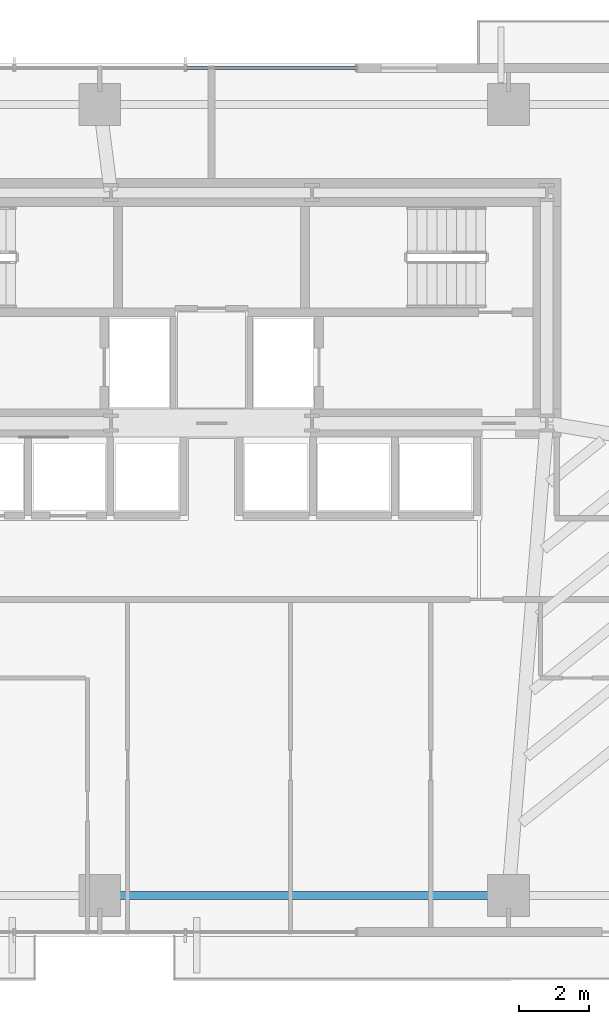
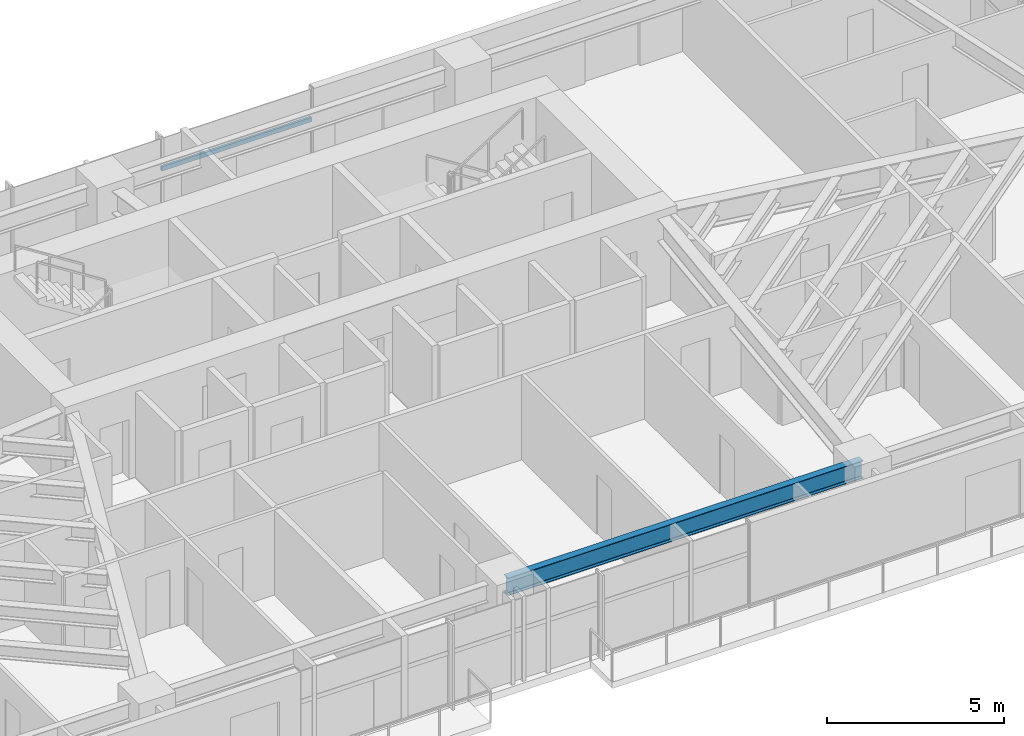
# One storey, part 11 of 25: 1 beam, 1 member, 1 element without a shape of its own.
"""IFC4 building model written with IfcOpenShell, lengths in metres."""

import ifcopenshell
import ifcopenshell.guid

model = None  # the IFC model being written
_history = None  # IfcOwnerHistory: only IFC2X3 demands one
_inside = {}  # id of a spatial element -> (the spatial element, [elements in it])
_under = {}  # id of a project, library or spatial element -> (it, [spatial elements below it])
_declared = {}  # id of a project -> (the project, [libraries it declares])
_typed = {}  # id of a type object -> (the type object, [elements of that type])
_made_of = {}  # id of a material, layer set ... -> (it, [elements and type objects made of it])


def new_model(schema):
    """Start an empty IFC model of exactly this schema.

    Asked for "IFC4X3", IfcOpenShell would pick the latest addendum, in which some entities
    have other attributes; the version numbers below select the first issue.
    IFC2X3 requires an IfcOwnerHistory on every rooted entity: one is made here for all.
    """
    global model, _history
    if schema == "IFC4X3":
        model = ifcopenshell.file(schema_version=(4, 3, 0, 0))
    else:
        model = ifcopenshell.file(schema=schema)
    _inside.clear()
    _under.clear()
    _declared.clear()
    _typed.clear()
    _made_of.clear()
    _history = None
    if model.schema == "IFC2X3":
        org = make("IfcOrganization", Name="unknown")
        user = make(
            "IfcPersonAndOrganization",
            ThePerson=make("IfcPerson", FamilyName="unknown"),
            TheOrganization=org,
        )
        app = make(
            "IfcApplication",
            ApplicationDeveloper=org,
            Version="unknown",
            ApplicationFullName="unknown",
            ApplicationIdentifier="unknown",
        )
        _history = make(
            "IfcOwnerHistory",
            OwningUser=user,
            OwningApplication=app,
            ChangeAction="ADDED",
            CreationDate=0,
        )
    return model


def make(cls, **values):
    """One entity of the class cls with the attributes given. An attribute that is None is left unset."""
    return model.create_entity(
        cls, **{name: value for name, value in values.items() if value is not None}
    )


def rooted(cls, **values):
    """An entity with a GlobalId (a new one), such as an element, a storey or a relation."""
    return make(cls, GlobalId=ifcopenshell.guid.new(), OwnerHistory=_history, **values)


def si_unit(unit_type, name, prefix=None):
    """IfcSIUnit, for example si_unit("LENGTHUNIT", "METRE", prefix="MILLI")."""
    return make("IfcSIUnit", UnitType=unit_type, Prefix=prefix, Name=name)


def assignment(units):
    """IfcUnitAssignment: the units of a project."""
    return None if units is None else make("IfcUnitAssignment", Units=units)


def point(xyz):
    """IfcCartesianPoint."""
    return None if xyz is None else make("IfcCartesianPoint", Coordinates=xyz)


def direction(xyz):
    """IfcDirection."""
    return None if xyz is None else make("IfcDirection", DirectionRatios=xyz)


def frame(location, z_axis=None, x_axis=None):
    """IfcAxis2Placement3D, a coordinate frame: its origin and axes. An axis left out is left unset."""
    return make(
        "IfcAxis2Placement3D",
        Location=point(location),
        Axis=direction(z_axis),
        RefDirection=direction(x_axis),
    )


def frame_2d(location, x_axis=None):
    """IfcAxis2Placement2D, a coordinate frame in the plane: its origin and x axis."""
    return make(
        "IfcAxis2Placement2D", Location=point(location), RefDirection=direction(x_axis)
    )


def origin():
    """The frame at (0, 0, 0) with its axes left unset."""
    return frame((0.0, 0.0, 0.0))


def origin_2d():
    """The frame at (0, 0) in the plane with its x axis left unset."""
    return frame_2d((0.0, 0.0))


def place(relative_to, where):
    """IfcLocalPlacement: puts the frame where relative to a parent placement (None: the world)."""
    return make(
        "IfcLocalPlacement", PlacementRelTo=relative_to, RelativePlacement=where
    )


def context(
    kind, dimensions, precision=None, world=None, true_north=None, identifier=None
):
    """IfcGeometricRepresentationContext, for example the 3D "Model" context."""
    return make(
        "IfcGeometricRepresentationContext",
        ContextIdentifier=identifier,
        ContextType=kind,
        CoordinateSpaceDimension=dimensions,
        Precision=precision,
        WorldCoordinateSystem=world,
        TrueNorth=true_north,
    )


def subcontext(parent, identifier, kind, view, scale=None):
    """IfcGeometricRepresentationSubContext, for example "Body" below "Model"."""
    return make(
        "IfcGeometricRepresentationSubContext",
        ContextIdentifier=identifier,
        ContextType=kind,
        ParentContext=parent,
        TargetScale=scale,
        TargetView=view,
    )


def project(units=None, contexts=None):
    """IfcProject with its units and contexts."""
    return rooted(
        "IfcProject",
        Name="project",
        RepresentationContexts=contexts,
        UnitsInContext=assignment(units),
    )


def spatial(cls, under=None, at=None, **own):
    """A site, building, storey or space (cls), placed at a placement, below another one or the project."""
    s = rooted(cls, ObjectPlacement=at, **own)
    if under is not None:
        _under.setdefault(under.id(), (under, []))[1].append(s)
    return s


def profile(cls, at=None, kind="AREA", **sizes):
    """A parametric profile (cls). Its sizes go by their IFC names, for example OverallWidth=200.0."""
    return make(cls, ProfileType=kind, Position=at, **sizes)


def hollow_rectangle(**sizes):
    """IfcRectangleHollowProfileDef."""
    return profile("IfcRectangleHollowProfileDef", **sizes)


def i_section(**sizes):
    """IfcIShapeProfileDef."""
    return profile("IfcIShapeProfileDef", **sizes)


def extrude(swept, where, along, depth):
    """IfcExtrudedAreaSolid: the profile swept, set in the frame where, extruded along a direction by depth."""
    return make(
        "IfcExtrudedAreaSolid",
        SweptArea=swept,
        Position=where,
        ExtrudedDirection=direction(along),
        Depth=depth,
    )


def shape(context_of_items, identifier, shape_type, items):
    """IfcShapeRepresentation: the items that make up one representation, for example the "Body"."""
    return make(
        "IfcShapeRepresentation",
        ContextOfItems=context_of_items,
        RepresentationIdentifier=identifier,
        RepresentationType=shape_type,
        Items=items,
    )


def source(mapping_origin, context_of_items, identifier, shape_type, items):
    """IfcRepresentationMap: a shape defined once, which mapped items show again and again."""
    return make(
        "IfcRepresentationMap",
        MappingOrigin=mapping_origin,
        MappedRepresentation=shape(context_of_items, identifier, shape_type, items),
    )


def transform(
    local_origin,
    x_axis=None,
    y_axis=None,
    z_axis=None,
    scale=None,
    scale2=None,
    scale3=None,
    uniform=True,
):
    """IfcCartesianTransformationOperator3D, or its non-uniform kind. x_axis, y_axis, z_axis: its Axis1, 2, 3."""
    if uniform:
        return make(
            "IfcCartesianTransformationOperator3D",
            Axis1=direction(x_axis),
            Axis2=direction(y_axis),
            LocalOrigin=point(local_origin),
            Scale=scale,
            Axis3=direction(z_axis),
        )
    return make(
        "IfcCartesianTransformationOperator3DnonUniform",
        Axis1=direction(x_axis),
        Axis2=direction(y_axis),
        LocalOrigin=point(local_origin),
        Scale=scale,
        Axis3=direction(z_axis),
        Scale2=scale2,
        Scale3=scale3,
    )


def mapped(mapping_source, mapping_target):
    """IfcMappedItem: shows the shape of a source again, moved by a transform."""
    return make(
        "IfcMappedItem", MappingSource=mapping_source, MappingTarget=mapping_target
    )


def material(Name=None, Category=None):
    """IfcMaterial."""
    return make("IfcMaterial", Name=Name, Category=Category)


def material_profile(
    of_material, cross_section, Name=None, Category=None, Priority=None
):
    """IfcMaterialProfile: a cross section and its material."""
    return make(
        "IfcMaterialProfile",
        Name=Name,
        Material=of_material,
        Profile=cross_section,
        Priority=Priority,
        Category=Category,
    )


def profile_set(profiles, Name=None, composite=None):
    """IfcMaterialProfileSet."""
    return make(
        "IfcMaterialProfileSet",
        Name=Name,
        MaterialProfiles=profiles,
        CompositeProfile=composite,
    )


def made_of(thing, what):
    """Note that an element or type object is made of a material, layer set ...; save() writes the relation."""
    if what is not None:
        _made_of.setdefault(what.id(), (what, []))[1].append(thing)
    return thing


def type_object(cls, material=None, **own):
    """A type object (cls), such as IfcWallType, which elements share."""
    return made_of(rooted(cls, **own), material)


def type_shapes(of_type, sources):
    """Give a type object the sources (RepresentationMaps) that its elements show as mapped items."""
    of_type.RepresentationMaps = sources


def element(
    cls,
    number,
    at=None,
    inside=None,
    cuts=None,
    type_object=None,
    material=None,
    context=None,
    identifier="Body",
    shape_type=None,
    held_by="IfcProductDefinitionShape",
    body=None,
    shapes=None,
    **own,
):
    """One element of the class cls, such as IfcWall. Its Tag is "e" and its number.

    at: its placement. inside: the storey or other place that contains it. cuts: it is an
    opening in that element (IfcRelVoidsElement). A single representation is given by context,
    identifier, shape_type and body (its items); several are given by shapes. held_by: the class
    of the entity that holds the representations. save() writes the other relations.
    """
    e = rooted(cls, Tag="e%d" % number, ObjectPlacement=at, **own)
    if body is not None:
        shapes = [shape(context, identifier, shape_type, body)]
    if shapes is not None:
        e.Representation = make(held_by, Representations=shapes)
    if inside is not None:
        _inside.setdefault(inside.id(), (inside, []))[1].append(e)
    if cuts is not None:
        rooted(
            "IfcRelVoidsElement", RelatingBuildingElement=cuts, RelatedOpeningElement=e
        )
    if type_object is not None:
        _typed.setdefault(type_object.id(), (type_object, []))[1].append(e)
    return made_of(e, material)


def aggregate(whole, parts):
    """IfcRelAggregates: a whole, such as a stair, and the parts it consists of."""
    return rooted("IfcRelAggregates", RelatingObject=whole, RelatedObjects=parts)


def save(model, path):
    """Write the relations noted so far, then the file.

    IfcRelAggregates (storeys below a building ...), IfcRelContainedInSpatialStructure (elements
    in a storey), IfcRelDefinesByType, IfcRelAssociatesMaterial and IfcRelDeclares: one each for
    every whole, place, type object, material and project.
    """
    for whole, parts in _under.values():
        aggregate(whole, parts)
    for where, things in _inside.values():
        rooted(
            "IfcRelContainedInSpatialStructure",
            RelatedElements=things,
            RelatingStructure=where,
        )
    for kind, things in _typed.values():
        rooted("IfcRelDefinesByType", RelatedObjects=things, RelatingType=kind)
    for what, things in _made_of.values():
        rooted("IfcRelAssociatesMaterial", RelatedObjects=things, RelatingMaterial=what)
    for by, libraries in _declared.values():
        rooted("IfcRelDeclares", RelatingContext=by, RelatedDefinitions=libraries)
    model.write(path)


model = new_model("IFC4")

# Units and contexts
model_context = context("Model", 3, precision=1e-05, world=origin(), true_north=direction((0.0, 1.0)))
body_context = subcontext(model_context, "Body", "Model", "MODEL_VIEW")
ifc_project = project(units=[si_unit("LENGTHUNIT", "METRE"), si_unit("AREAUNIT", "SQUARE_METRE"), si_unit("VOLUMEUNIT", "CUBIC_METRE"), si_unit("PLANEANGLEUNIT", "RADIAN"), si_unit("MASSUNIT", "GRAM", prefix="KILO")], contexts=[model_context])

# Site, building, storey
site_placement = place(None, origin())
site = spatial("IfcSite", under=ifc_project, at=site_placement, CompositionType="ELEMENT")
building_placement = place(site_placement, origin())
building = spatial("IfcBuilding", under=site, at=building_placement, Name="Astriad Promenade Condominiums", CompositionType="ELEMENT")
storey_placement = place(building_placement, frame((0.0, 0.0, 26.199951171875)))
storey = spatial("IfcBuildingStorey", under=building, at=storey_placement, Name="L06", CompositionType="ELEMENT", Elevation=26.199951171875)

# Beam
ifc_material_1 = material(Name="Steel ASTM A992 Grade 50", Category="steel")
ifc_material_profile_1 = material_profile(ifc_material_1, i_section(OverallWidth=0.22900390625, OverallDepth=0.612060546875, WebThickness=0.011962890625, FlangeThickness=0.01953125, FilletRadius=0.017822265625, at=origin_2d()), Name="W24X84")
ifc_profile_set_1 = profile_set([ifc_material_profile_1], Name="Steel ASTM A992 Grade 50")
beam_type = type_object("IfcBeamType", Name="STEEL SPANDREL BEAM W24X84", PredefinedType="SPANDREL", material=ifc_profile_set_1)
shared_shape_1 = source(origin(), body_context, "Body", "SweptSolid", [
    extrude(i_section(OverallWidth=0.22900390625, OverallDepth=0.612060546875, WebThickness=0.011962890625, FlangeThickness=0.01953125, FilletRadius=0.017822265625, at=origin_2d()), origin(), (0.0, 0.0, 1.0), 11.619873046875),
])
type_shapes(beam_type, [shared_shape_1])
beam_placement = place(storey_placement, frame((32.840087890625, 3.8798828125, 2.634033203125), z_axis=(1.0, 0.0, 0.0), x_axis=(0.0, 1.0, 0.0)))
element("IfcBeam", 1, at=beam_placement, inside=storey, type_object=beam_type, Name="Perimeter Spandrel Beam SP-S3-L06", PredefinedType="SPANDREL", context=body_context, shape_type="MappedRepresentation", body=[
    mapped(shared_shape_1, transform((0.0, 0.0, 0.0), scale=1.0)),
])

# Curtain wall, member
ifc_material_2 = material(Name="Anodised aluminium Black Dark Glass Unitised", Category="aluminium")
curtain_wall_type = type_object("IfcCurtainWallType", Name="CW-B1-DARK", PredefinedType="USERDEFINED", material=ifc_material_2)
curtain_wall_placement = place(storey_placement, origin())
curtain_wall = element("IfcCurtainWall", 2, at=curtain_wall_placement, inside=storey, type_object=curtain_wall_type, Name="CW-L06-N", ObjectType="UNITISED_CURTAIN_WALL", PredefinedType="USERDEFINED")
ifc_material_3 = material(Name="Anodised aluminium 6063-T6 Black", Category="aluminium")
ifc_material_profile_2 = material_profile(ifc_material_3, hollow_rectangle(XDim=0.074951171875, YDim=0.14990234375, WallThickness=0.004150390625, at=origin_2d()), Name="ALU-TRN-75X150")
ifc_profile_set_2 = profile_set([ifc_material_profile_2], Name="Anodised aluminium 6063-T6 Black")
member_type = type_object("IfcMemberType", Name="TRN-ALU-TRN-75X150", PredefinedType="USERDEFINED", material=ifc_profile_set_2)
shared_shape_2 = source(origin(), body_context, "Body", "SweptSolid", [
    extrude(hollow_rectangle(XDim=0.074951171875, YDim=0.14990234375, WallThickness=0.004150390625, at=origin_2d()), origin(), (0.0, 0.0, 1.0), 4.89990234375),
])
type_shapes(member_type, [shared_shape_2])
member_placement = place(storey_placement, frame((35.25, 27.570068359375, 1.82275390625), z_axis=(1.0, 0.0, 0.0), x_axis=(0.0, 1.0, 0.0)))
member = element("IfcMember", 3, at=member_placement, type_object=member_type, Name="CW-L06-N-TRN-02-0", ObjectType="TRANSOM", PredefinedType="USERDEFINED", context=body_context, shape_type="MappedRepresentation", body=[
    mapped(shared_shape_2, transform((0.0, 0.0, 0.0), scale=1.0)),
])
aggregate(curtain_wall, [member])

save(model, "model.ifc")
